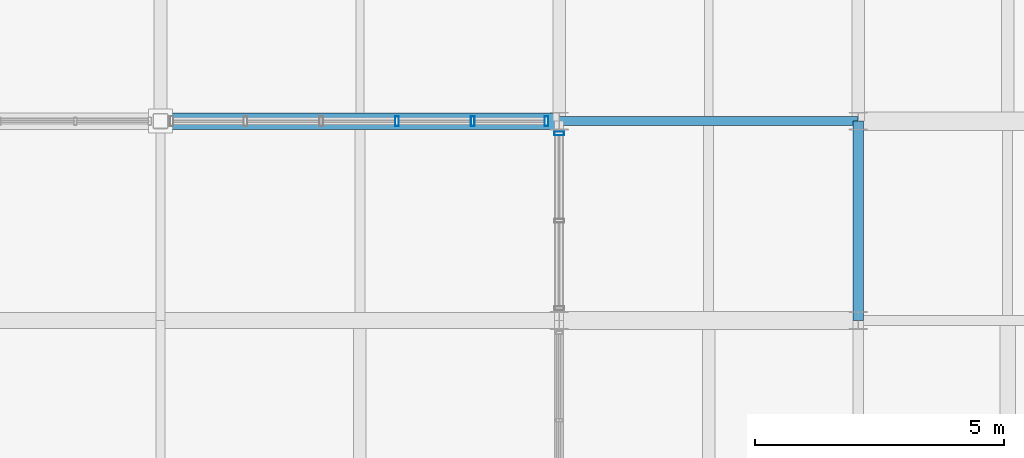
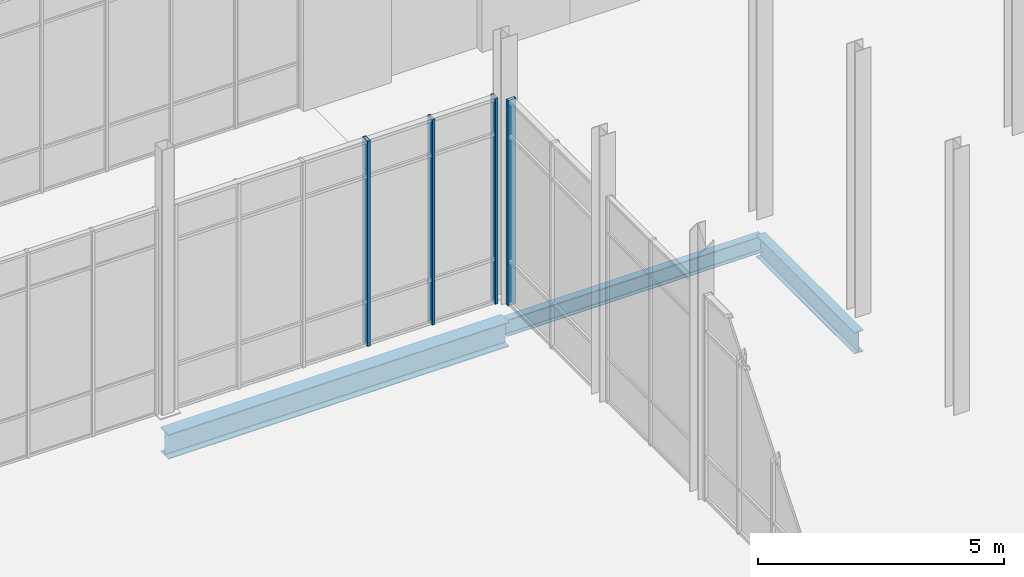
# One storey, part 87 of 140: 4 members, 3 beams, 2 elements without a shape of their own.
"""IFC4 building model written with IfcOpenShell, lengths in metres."""

from ifc_helpers import new_model, si_unit, direction, frame, origin, origin_2d, place, context, subcontext, project, spatial, hollow_rectangle, i_section, extrude, material, material_profile, profile_set, type_object, element, aggregate, save


model = new_model("IFC4")

# Units and contexts
model_context = context("Model", 3, precision=1e-05, world=origin(), true_north=direction((0.0, 1.0)))
body_context = subcontext(model_context, "Body", "Model", "MODEL_VIEW")
ifc_project = project(units=[si_unit("LENGTHUNIT", "METRE"), si_unit("AREAUNIT", "SQUARE_METRE"), si_unit("VOLUMEUNIT", "CUBIC_METRE"), si_unit("PLANEANGLEUNIT", "RADIAN"), si_unit("MASSUNIT", "GRAM", prefix="KILO")], contexts=[model_context])

# Site, building, storey
site_placement = place(None, origin())
site = spatial("IfcSite", under=ifc_project, at=site_placement, CompositionType="ELEMENT")
building_placement = place(site_placement, origin())
building = spatial("IfcBuilding", under=site, at=building_placement, Name="Verrall Gate Interchange", CompositionType="ELEMENT")
storey_placement = place(building_placement, origin())
storey = spatial("IfcBuildingStorey", under=building, at=storey_placement, Name="L01", CompositionType="ELEMENT", Elevation=0.0)

# Beams
ifc_material_1 = material(Name="Structural Steel CSA G40.21 350WT Cat 4", Category="steel")
ifc_material_profile_1 = material_profile(ifc_material_1, i_section(OverallWidth=0.323974609375, OverallDepth=0.611083984375, WebThickness=0.0126953125, FlangeThickness=0.01904296875, FilletRadius=0.014892578125, at=origin_2d()), Name="W610x155")
ifc_profile_set_1 = profile_set([ifc_material_profile_1], Name="Structural Steel CSA G40.21 350WT Cat 4")
beam_type_1 = type_object("IfcBeamType", Name="B-08 Structural Beam W610x155", PredefinedType="BEAM", material=ifc_profile_set_1)
beam_1_placement = place(storey_placement, frame((124.0, 48.0, -0.805419921875), z_axis=(1.0, 0.0, 0.0), x_axis=(0.0, 1.0, 0.0)))
element("IfcBeam", 1, at=beam_1_placement, inside=storey, type_object=beam_type_1, Name="L01 Girder BM-L01-0928 (B-08)", PredefinedType="BEAM", context=body_context, shape_type="SweptSolid", body=[
    extrude(i_section(OverallWidth=0.323974609375, OverallDepth=0.611083984375, WebThickness=0.0126953125, FlangeThickness=0.01904296875, FilletRadius=0.014892578125, at=origin_2d()), origin(), (0.0, 0.0, 1.0), 8.0),
])
ifc_material_2 = material(Name="Structural Steel CSA G40.21 350W", Category="steel")
ifc_material_profile_2 = material_profile(ifc_material_2, i_section(OverallWidth=0.2109375, OverallDepth=0.5390625, WebThickness=0.01171875, FlangeThickness=0.018798828125, FilletRadius=0.013916015625, at=origin_2d()), Name="W530x109")
ifc_profile_set_2 = profile_set([ifc_material_profile_2], Name="Structural Steel CSA G40.21 350W")
beam_type_2 = type_object("IfcBeamType", Name="B-10 Structural Beam W530x109", PredefinedType="BEAM", material=ifc_profile_set_2)
beam_2_placement = place(storey_placement, frame((138.0, 44.0, -0.76953125), z_axis=(0.0, 1.0, 0.0), x_axis=(-1.0, 0.0, 0.0)))
element("IfcBeam", 2, at=beam_2_placement, inside=storey, type_object=beam_type_2, Name="L01 Girder BM-L01-1209 (B-10)", PredefinedType="BEAM", context=body_context, shape_type="SweptSolid", body=[
    extrude(i_section(OverallWidth=0.2109375, OverallDepth=0.5390625, WebThickness=0.01171875, FlangeThickness=0.018798828125, FilletRadius=0.013916015625, at=origin_2d()), origin(), (0.0, 0.0, 1.0), 4.0),
])
ifc_material_3 = material(Name="Structural Steel CSA G40.21 350W", Category="steel")
ifc_material_profile_3 = material_profile(ifc_material_3, i_section(OverallWidth=0.178955078125, OverallDepth=0.409912109375, WebThickness=0.0087890625, FlangeThickness=0.014404296875, FilletRadius=0.011962890625, at=origin_2d()), Name="W410x67")
ifc_profile_set_3 = profile_set([ifc_material_profile_3], Name="Structural Steel CSA G40.21 350W")
beam_type_3 = type_object("IfcBeamType", Name="B-12 Structural Beam W410x67", PredefinedType="BEAM", material=ifc_profile_set_3)
beam_3_placement = place(storey_placement, frame((132.0, 48.0, -0.705078125), z_axis=(1.0, 0.0, 0.0), x_axis=(0.0, 1.0, 0.0)))
element("IfcBeam", 3, at=beam_3_placement, inside=storey, type_object=beam_type_3, Name="L01 Girder BM-L01-0929 (B-12)", PredefinedType="BEAM", context=body_context, shape_type="SweptSolid", body=[
    extrude(i_section(OverallWidth=0.178955078125, OverallDepth=0.409912109375, WebThickness=0.0087890625, FlangeThickness=0.014404296875, FilletRadius=0.011962890625, at=origin_2d()), origin(), (0.0, 0.0, 1.0), 6.0),
])

# Curtain wall, members
ifc_material_4 = material(Name="Thermally Broken Anodized Aluminium Curtain Wall Framing", Category="aluminium")
curtain_wall_type_1 = type_object("IfcCurtainWallType", Name="CW-06 Unitized Curtain Wall 7631x5100", PredefinedType="NOTDEFINED", material=ifc_material_4)
curtain_wall_1_placement = place(storey_placement, origin())
curtain_wall_1 = element("IfcCurtainWall", 4, at=curtain_wall_1_placement, inside=storey, type_object=curtain_wall_type_1, Name="L01 Unitized Curtain Wall CW-L01-011", PredefinedType="NOTDEFINED")
ifc_material_5 = material(Name="Thermally Broken Anodized Aluminium Curtain Wall Framing", Category="aluminium")
ifc_material_profile_4 = material_profile(ifc_material_5, hollow_rectangle(XDim=0.074951171875, YDim=0.199951171875, WallThickness=0.0048828125, InnerFilletRadius=0.0048828125, OuterFilletRadius=0.010009765625, at=origin_2d()), Name="CWM200x75x5")
ifc_profile_set_4 = profile_set([ifc_material_profile_4], Name="Thermally Broken Anodized Aluminium Curtain Wall Framing")
member_type = type_object("IfcMemberType", Name="CM-02 Curtain Mullion CWM200x75x5", PredefinedType="MULLION", material=ifc_profile_set_4)
member_1_placement = place(storey_placement, frame((128.743896484375, 48.0, 0.0), z_axis=(0.0, 0.0, 1.0), x_axis=(1.0, 0.0, 0.0)))
member_1 = element("IfcMember", 5, at=member_1_placement, type_object=member_type, Name="CW-L01-011 Mullion 4", PredefinedType="MULLION", context=body_context, shape_type="SweptSolid", body=[
    extrude(hollow_rectangle(XDim=0.074951171875, YDim=0.199951171875, WallThickness=0.0048828125, InnerFilletRadius=0.0048828125, OuterFilletRadius=0.010009765625, at=origin_2d()), origin(), (0.0, 0.0, 1.0), 5.10009765625),
])
member_2_placement = place(storey_placement, frame((130.263671875, 48.0, 0.0), z_axis=(0.0, 0.0, 1.0), x_axis=(1.0, 0.0, 0.0)))
member_2 = element("IfcMember", 6, at=member_2_placement, type_object=member_type, Name="CW-L01-011 Mullion 5", PredefinedType="MULLION", context=body_context, shape_type="SweptSolid", body=[
    extrude(hollow_rectangle(XDim=0.074951171875, YDim=0.199951171875, WallThickness=0.0048828125, InnerFilletRadius=0.0048828125, OuterFilletRadius=0.010009765625, at=origin_2d()), origin(), (0.0, 0.0, 1.0), 5.10009765625),
])
member_3_placement = place(storey_placement, frame((131.74609375, 48.0, 0.0), z_axis=(0.0, 0.0, 1.0), x_axis=(1.0, 0.0, 0.0)))
member_3 = element("IfcMember", 7, at=member_3_placement, type_object=member_type, Name="CW-L01-011 Mullion 6", PredefinedType="MULLION", context=body_context, shape_type="SweptSolid", body=[
    extrude(hollow_rectangle(XDim=0.074951171875, YDim=0.199951171875, WallThickness=0.0048828125, InnerFilletRadius=0.0048828125, OuterFilletRadius=0.010009765625, at=origin_2d()), origin(), (0.0, 0.0, 1.0), 5.10009765625),
])
aggregate(curtain_wall_1, [member_1, member_2, member_3])

# Curtain wall, member
ifc_material_6 = material(Name="Thermally Broken Anodized Aluminium Curtain Wall Framing", Category="aluminium")
curtain_wall_type_2 = type_object("IfcCurtainWallType", Name="CW-05 Unitized Curtain Wall 3631x5100", PredefinedType="NOTDEFINED", material=ifc_material_6)
curtain_wall_2_placement = place(storey_placement, origin())
curtain_wall_2 = element("IfcCurtainWall", 8, at=curtain_wall_2_placement, inside=storey, type_object=curtain_wall_type_2, Name="L01 Unitized Curtain Wall CW-L01-045", PredefinedType="NOTDEFINED")
member_4_placement = place(storey_placement, frame((132.0, 47.75244140625, 0.0), z_axis=(0.0, 0.0, 1.0), x_axis=(0.0, -1.0, 0.0)))
member_4 = element("IfcMember", 9, at=member_4_placement, type_object=member_type, Name="CW-L01-045 Mullion 1", PredefinedType="MULLION", context=body_context, shape_type="SweptSolid", body=[
    extrude(hollow_rectangle(XDim=0.074951171875, YDim=0.199951171875, WallThickness=0.0048828125, InnerFilletRadius=0.0048828125, OuterFilletRadius=0.010009765625, at=origin_2d()), origin(), (0.0, 0.0, 1.0), 5.10009765625),
])
aggregate(curtain_wall_2, [member_4])

save(model, "model.ifc")
